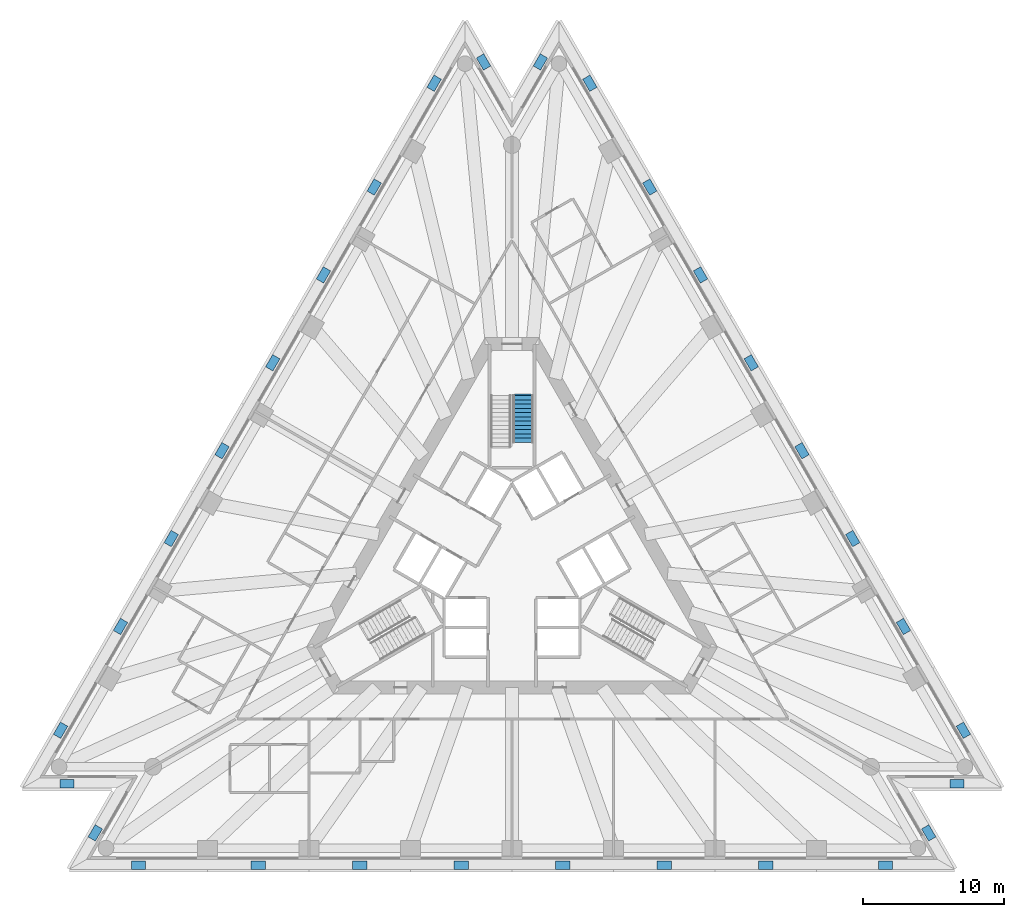
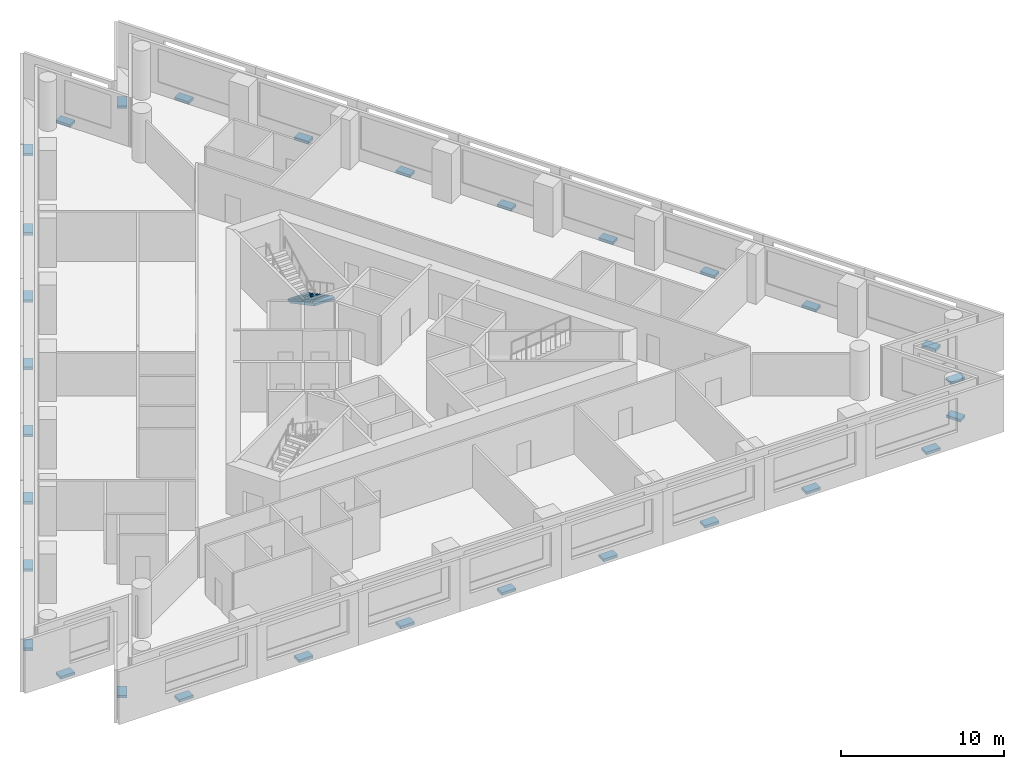
# One storey, part 9 of 11: 30 discrete accessories, 1 stair flight, 1 element without a shape of its own.
"""IFC4 building model written with IfcOpenShell, lengths in metres."""

from ifc_helpers import new_model, si_unit, direction, frame, origin, origin_2d, place, context, subcontext, project, spatial, polyline, rectangle, outline, extrude, material, type_object, element, aggregate, save


model = new_model("IFC4")

# Units and contexts
model_context = context("Model", 3, precision=1e-05, world=origin(), true_north=direction((0.0, 1.0)))
body_context = subcontext(model_context, "Body", "Model", "MODEL_VIEW")
ifc_project = project(units=[si_unit("LENGTHUNIT", "METRE"), si_unit("AREAUNIT", "SQUARE_METRE"), si_unit("VOLUMEUNIT", "CUBIC_METRE"), si_unit("PLANEANGLEUNIT", "RADIAN"), si_unit("MASSUNIT", "GRAM", prefix="KILO")], contexts=[model_context])

# Site, building, storey
site_placement = place(None, origin())
site = spatial("IfcSite", under=ifc_project, at=site_placement, CompositionType="ELEMENT")
building_placement = place(site_placement, origin())
building = spatial("IfcBuilding", under=site, at=building_placement, Name="Triada Interchange Tower", CompositionType="ELEMENT")
storey_placement = place(building_placement, frame((0.0, 0.0, 87.300048828125)))
storey = spatial("IfcBuildingStorey", under=building, at=storey_placement, Name="L19", CompositionType="ELEMENT", Elevation=87.300048828125)

# Stair, stair flight
ifc_material_1 = material(Name="Concrete C35/45", Category="concrete")
stair_type = type_object("IfcStairType", Name="HALF TURN STAIR 1400", PredefinedType="HALF_TURN_STAIR", material=ifc_material_1)
stair_placement = place(storey_placement, origin())
stair = element("IfcStair", 1, at=stair_placement, inside=storey, type_object=stair_type, Name="Exit stair S18-1", PredefinedType="HALF_TURN_STAIR")
stair_flight_type = type_object("IfcStairFlightType", Name="STRAIGHT STAIR FLIGHT 1400", PredefinedType="STRAIGHT", material=ifc_material_1)
stair_flight_placement = place(storey_placement, frame((0.800048828125, 11.60009765625, 0.0), z_axis=(0.0, 0.0, 1.0), x_axis=(0.0, -1.0, 0.0)))
stair_flight = element("IfcStairFlight", 2, at=stair_flight_placement, type_object=stair_flight_type, Name="S18-1 flight 1", NumberOfRisers=12, NumberOfTreads=11, PredefinedType="STRAIGHT", RiserHeight=0.16, TreadLength=0.3, context=body_context, shape_type="SweptSolid", body=[
    extrude(outline(polyline([(-0.10009765625, 0.0), (-0.10009765625, 0.02001953125), (0.0, 0.02001953125), (0.0, 0.159912109375), (0.300048828125, 0.159912109375), (0.300048828125, 0.320068359375), (0.60009765625, 0.320068359375), (0.60009765625, 0.47998046875), (0.89990234375, 0.47998046875), (0.89990234375, 0.639892578125), (1.199951171875, 0.639892578125), (1.199951171875, 0.800048828125), (1.5, 0.800048828125), (1.5, 0.9599609375), (1.800048828125, 0.9599609375), (1.800048828125, 1.1201171875), (2.10009765625, 1.1201171875), (2.10009765625, 1.280029296875), (2.39990234375, 1.280029296875), (2.39990234375, 1.43994140625), (2.699951171875, 1.43994140625), (2.699951171875, 1.60009765625), (3.0, 1.60009765625), (3.0, 1.760009765625), (3.300048828125, 1.760009765625), (3.303955078125, 1.760009765625), (3.303955078125, 1.919921875), (3.303955078125, 1.590087890625), (0.318603515625, 0.0), (-0.10009765625, 0.0)])), frame((0.0, 0.699951171875, 0.0), z_axis=(0.0, -1.0, 0.0), x_axis=(1.0, 0.0, 0.0)), (0.0, 0.0, 1.0), 0.46533203125),
    extrude(outline(polyline([(-0.10009765625, 0.0), (-0.10009765625, 0.02001953125), (0.0, 0.02001953125), (0.0, 0.159912109375), (0.300048828125, 0.159912109375), (0.300048828125, 0.320068359375), (0.60009765625, 0.320068359375), (0.60009765625, 0.47998046875), (0.89990234375, 0.47998046875), (0.89990234375, 0.639892578125), (1.199951171875, 0.639892578125), (1.199951171875, 0.800048828125), (1.5, 0.800048828125), (1.5, 0.9599609375), (1.800048828125, 0.9599609375), (1.800048828125, 1.1201171875), (2.10009765625, 1.1201171875), (2.10009765625, 1.280029296875), (2.39990234375, 1.280029296875), (2.39990234375, 1.43994140625), (2.699951171875, 1.43994140625), (2.699951171875, 1.60009765625), (3.0, 1.60009765625), (3.0, 1.760009765625), (3.300048828125, 1.760009765625), (3.303955078125, 1.760009765625), (3.303955078125, 1.919921875), (3.303955078125, 1.590087890625), (0.318603515625, 0.0), (-0.10009765625, 0.0)])), frame((0.0, 0.232666015625, 0.0), z_axis=(0.0, -1.0, 0.0), x_axis=(1.0, 0.0, 0.0)), (0.0, 0.0, 1.0), 0.46533203125),
    extrude(outline(polyline([(-0.10009765625, 0.0), (-0.10009765625, 0.02001953125), (0.0, 0.02001953125), (0.0, 0.159912109375), (0.300048828125, 0.159912109375), (0.300048828125, 0.320068359375), (0.60009765625, 0.320068359375), (0.60009765625, 0.47998046875), (0.89990234375, 0.47998046875), (0.89990234375, 0.639892578125), (1.199951171875, 0.639892578125), (1.199951171875, 0.800048828125), (1.5, 0.800048828125), (1.5, 0.9599609375), (1.800048828125, 0.9599609375), (1.800048828125, 1.1201171875), (2.10009765625, 1.1201171875), (2.10009765625, 1.280029296875), (2.39990234375, 1.280029296875), (2.39990234375, 1.43994140625), (2.699951171875, 1.43994140625), (2.699951171875, 1.60009765625), (3.0, 1.60009765625), (3.0, 1.760009765625), (3.300048828125, 1.760009765625), (3.303955078125, 1.760009765625), (3.303955078125, 1.919921875), (3.303955078125, 1.590087890625), (0.318603515625, 0.0), (-0.10009765625, 0.0)])), frame((0.0, -0.234619140625, 0.0), z_axis=(0.0, -1.0, 0.0), x_axis=(1.0, 0.0, 0.0)), (0.0, 0.0, 1.0), 0.46533203125),
])
aggregate(stair, [stair_flight])

# Discrete accessories
ifc_material_2 = material(Name="Steel S355", Category="steel")
discrete_accessory_type = type_object("IfcDiscreteAccessoryType", Name="Steel bracket outer skin", PredefinedType="BRACKET", material=ifc_material_2)
for number, where, z_axis, x_axis, name in (
    (3, (-5.510986328125, 33.712890625, -0.27001953125), (0.0, 0.0, 1.0), (-0.866025342698, 0.500000105805, 0.0), "Bracket L19 01"),
    (4, (-9.751953125, 26.366943359375, -0.27001953125), (0.0, 0.0, 1.0), (-0.866025342698, 0.500000105805, 0.0), "Bracket L19 02"),
    (5, (-13.343994140625, 20.14599609375, -0.27001953125), (0.0, 0.0, 1.0), (-0.866025342698, 0.500000105805, 0.0), "Bracket L19 03"),
    (6, (-16.93505859375, 13.925048828125, -0.27001953125), (0.0, 0.0, 1.0), (-0.866025342698, 0.500000105805, 0.0), "Bracket L19 04"),
    (7, (-20.527099609375, 7.7041015625, -0.27001953125), (0.0, 0.0, 1.0), (-0.866025342698, 0.500000105805, 0.0), "Bracket L19 05"),
    (8, (-24.118896484375, 1.48291015625, -0.27001953125), (0.0, 0.0, 1.0), (-0.866025342698, 0.500000105805, 0.0), "Bracket L19 06"),
    (9, (-27.7109375, -4.738037109375, -0.27001953125), (0.0, 0.0, 1.0), (-0.866025342698, 0.500000105805, 0.0), "Bracket L19 07"),
    (10, (-31.951904296875, -12.083984375, -0.27001953125), (0.0, 0.0, 1.0), (-0.866025342698, 0.500000105805, 0.0), "Bracket L19 08"),
    (11, (-31.5048828125, -15.8701171875, -0.27001953125), (0.0, 0.0, 1.0), (0.0, -1.0, 0.0), "Bracket L19 09"),
    (12, (-29.4970703125, -19.35009765625, -0.27001953125), (0.0, 0.0, 1.0), (-0.866022811959, 0.500004489147, 0.0), "Bracket L19 10"),
    (13, (-26.44091796875, -21.62890625, -0.27001953125), (0.0, 0.0, 1.0), (0.0, -1.0, 0.0), "Bracket L19 11"),
    (14, (-17.958984375, -21.62890625, -0.27001953125), (0.0, 0.0, 1.0), (0.0, -1.0, 0.0), "Bracket L19 12"),
    (15, (-10.77490234375, -21.62890625, -0.27001953125), (0.0, 0.0, 1.0), (0.0, -1.0, 0.0), "Bracket L19 13"),
    (16, (-3.592041015625, -21.62890625, -0.27001953125), (0.0, 0.0, 1.0), (0.0, -1.0, 0.0), "Bracket L19 14"),
    (17, (3.592041015625, -21.62890625, -0.27001953125), (0.0, 0.0, 1.0), (0.0, -1.0, 0.0), "Bracket L19 15"),
    (18, (10.77490234375, -21.62890625, -0.27001953125), (0.0, 0.0, 1.0), (0.0, -1.0, 0.0), "Bracket L19 16"),
    (19, (17.958984375, -21.62890625, -0.27001953125), (0.0, 0.0, 1.0), (0.0, -1.0, 0.0), "Bracket L19 17"),
    (20, (26.44091796875, -21.62890625, -0.27001953125), (0.0, 0.0, 1.0), (0.0, -1.0, 0.0), "Bracket L19 18"),
    (21, (29.4970703125, -19.35009765625, -0.27001953125), (0.0, 0.0, 1.0), (0.866022811959, 0.500004489147, 0.0), "Bracket L19 19"),
    (22, (31.5048828125, -15.8701171875, -0.27001953125), (0.0, 0.0, 1.0), (0.0, -1.0, 0.0), "Bracket L19 20"),
    (23, (31.951904296875, -12.083984375, -0.27001953125), (0.0, 0.0, 1.0), (0.866025342698, 0.500000105805, 0.0), "Bracket L19 21"),
    (24, (27.7109375, -4.738037109375, -0.27001953125), (0.0, 0.0, 1.0), (0.866025342698, 0.500000105805, 0.0), "Bracket L19 22"),
    (25, (24.118896484375, 1.48291015625, -0.27001953125), (0.0, 0.0, 1.0), (0.866025342698, 0.500000105805, 0.0), "Bracket L19 23"),
    (26, (20.527099609375, 7.7041015625, -0.27001953125), (0.0, 0.0, 1.0), (0.866025342698, 0.500000105805, 0.0), "Bracket L19 24"),
    (27, (16.93505859375, 13.925048828125, -0.27001953125), (0.0, 0.0, 1.0), (0.866025342698, 0.500000105805, 0.0), "Bracket L19 25"),
    (28, (13.343994140625, 20.14599609375, -0.27001953125), (0.0, 0.0, 1.0), (0.866025342698, 0.500000105805, 0.0), "Bracket L19 26"),
    (29, (9.751953125, 26.366943359375, -0.27001953125), (0.0, 0.0, 1.0), (0.866025342698, 0.500000105805, 0.0), "Bracket L19 27"),
    (30, (5.510986328125, 33.712890625, -0.27001953125), (0.0, 0.0, 1.0), (0.866025342698, 0.500000105805, 0.0), "Bracket L19 28"),
    (31, (2.009033203125, 35.218994140625, -0.27001953125), (0.0, 0.0, 1.0), (-0.866022811959, 0.500004489147, 0.0), "Bracket L19 29"),
    (32, (-2.009033203125, 35.218994140625, -0.27001953125), (0.0, 0.0, 1.0), (0.866022811959, 0.500004489147, 0.0), "Bracket L19 30"),
):
    element("IfcDiscreteAccessory", number, at=place(storey_placement, frame(where, z_axis=z_axis, x_axis=x_axis)), inside=storey, type_object=discrete_accessory_type, Name=name, PredefinedType="BRACKET", context=body_context, shape_type="SweptSolid", body=[
        extrude(rectangle(XDim=0.60009765625, YDim=1.0, at=origin_2d()), origin(), (0.0, 0.0, 1.0), 0.199951171875),
    ])

save(model, "model.ifc")
